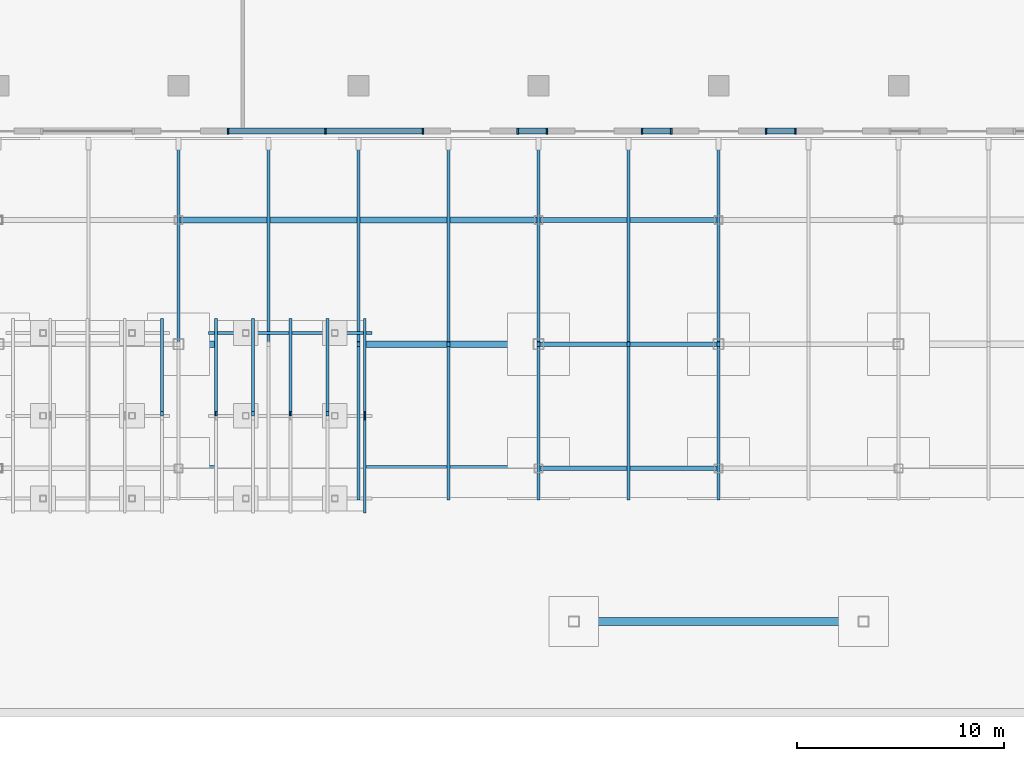
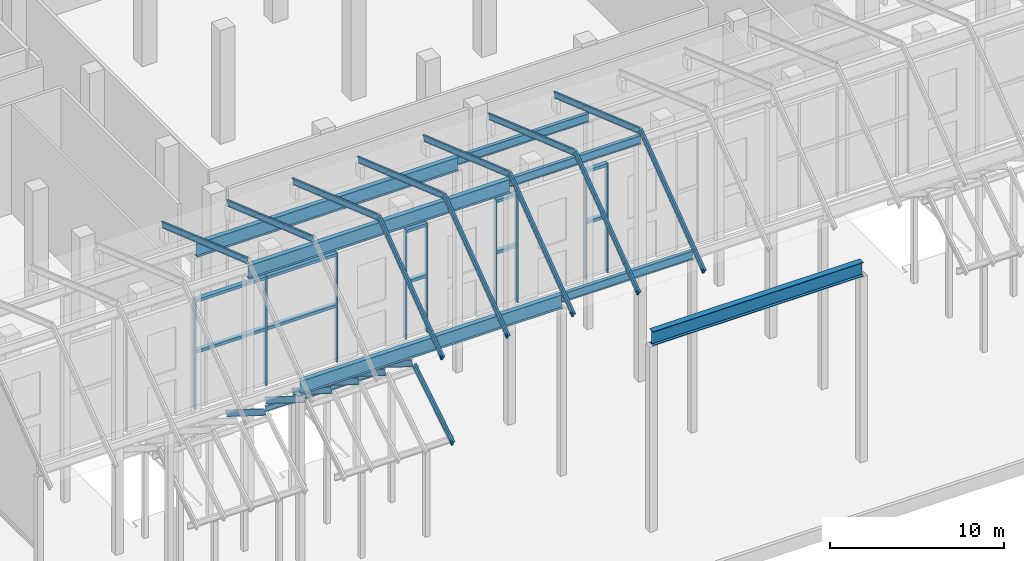
# One storey, part 9 of 31: 27 beams, 19 members, 4 elements without a shape of their own.
"""IFC4 building model written with IfcOpenShell, lengths in metres."""

from ifc_helpers import new_model, si_unit, direction, frame, origin, origin_2d, place, context, subcontext, project, spatial, rectangle, i_section, extrude, material, material_profile, profile_set, type_object, element, aggregate, save


model = new_model("IFC4")

# Units and contexts
model_context = context("Model", 3, precision=1e-05, world=origin(), true_north=direction((0.0, 1.0)))
body_context = subcontext(model_context, "Body", "Model", "MODEL_VIEW")
ifc_project = project(units=[si_unit("LENGTHUNIT", "METRE"), si_unit("AREAUNIT", "SQUARE_METRE"), si_unit("VOLUMEUNIT", "CUBIC_METRE"), si_unit("PLANEANGLEUNIT", "RADIAN"), si_unit("MASSUNIT", "GRAM", prefix="KILO")], contexts=[model_context])

# Site, building, storey
site_placement = place(None, origin())
site = spatial("IfcSite", under=ifc_project, at=site_placement, CompositionType="ELEMENT")
building_placement = place(site_placement, origin())
building = spatial("IfcBuilding", under=site, at=building_placement, Name="Bicima Exchange Tower", CompositionType="ELEMENT")
storey_placement = place(building_placement, origin())
storey = spatial("IfcBuildingStorey", under=building, at=storey_placement, Name="L00", CompositionType="ELEMENT", Elevation=0.0)

# Curtain wall, members
ifc_material_1 = material(Name="Stainless steel", Category="steel")
curtain_wall_type = type_object("IfcCurtainWallType", Name="Hall structural glazing", PredefinedType="NOTDEFINED", material=ifc_material_1)
curtain_wall_1_placement = place(storey_placement, origin())
curtain_wall_1 = element("IfcCurtainWall", 1, at=curtain_wall_1_placement, inside=storey, type_object=curtain_wall_type, Name="Podium glazing L00 south 6", PredefinedType="NOTDEFINED")
ifc_material_profile_1 = material_profile(ifc_material_1, rectangle(XDim=0.300048828125, YDim=0.080078125, at=origin_2d()))
ifc_profile_set_1 = profile_set([ifc_material_profile_1], Name="Stainless steel")
member_type_1 = type_object("IfcMemberType", Name="Hall structural glazing mullion 80 x 300", PredefinedType="MULLION", material=ifc_profile_set_1)
member_1_placement = place(storey_placement, frame((-23.7099609375, -53.699951171875, 0.0), z_axis=(0.0, 0.0, 1.0), x_axis=(0.0, 1.0, 0.0)))
member_1 = element("IfcMember", 2, at=member_1_placement, type_object=member_type_1, Name="Hall structural glazing mullion 1", PredefinedType="MULLION", context=body_context, shape_type="SweptSolid", body=[
    extrude(rectangle(XDim=0.300048828125, YDim=0.080078125, at=origin_2d()), origin(), (0.0, 0.0, 1.0), 7.699951171875),
])
member_2_placement = place(storey_placement, frame((-19.0, -53.699951171875, 0.0), z_axis=(0.0, 0.0, 1.0), x_axis=(0.0, 1.0, 0.0)))
member_2 = element("IfcMember", 3, at=member_2_placement, type_object=member_type_1, Name="Hall structural glazing mullion 2", PredefinedType="MULLION", context=body_context, shape_type="SweptSolid", body=[
    extrude(rectangle(XDim=0.300048828125, YDim=0.080078125, at=origin_2d()), origin(), (0.0, 0.0, 1.0), 7.699951171875),
])
member_3_placement = place(storey_placement, frame((-14.2900390625, -53.699951171875, 0.0), z_axis=(0.0, 0.0, 1.0), x_axis=(0.0, 1.0, 0.0)))
member_3 = element("IfcMember", 4, at=member_3_placement, type_object=member_type_1, Name="Hall structural glazing mullion 3", PredefinedType="MULLION", context=body_context, shape_type="SweptSolid", body=[
    extrude(rectangle(XDim=0.300048828125, YDim=0.080078125, at=origin_2d()), origin(), (0.0, 0.0, 1.0), 7.699951171875),
])

curtain_wall_2_placement = place(storey_placement, origin())
curtain_wall_2 = element("IfcCurtainWall", 5, at=curtain_wall_2_placement, inside=storey, type_object=curtain_wall_type, Name="Podium glazing L00 south 8", PredefinedType="NOTDEFINED")
member_4_placement = place(storey_placement, frame((-9.7099609375, -53.699951171875, 0.0), z_axis=(0.0, 0.0, 1.0), x_axis=(0.0, 1.0, 0.0)))
member_4 = element("IfcMember", 6, at=member_4_placement, type_object=member_type_1, Name="Hall structural glazing mullion 1", PredefinedType="MULLION", context=body_context, shape_type="SweptSolid", body=[
    extrude(rectangle(XDim=0.300048828125, YDim=0.080078125, at=origin_2d()), origin(), (0.0, 0.0, 1.0), 7.699951171875),
])
member_5_placement = place(storey_placement, frame((-8.2900390625, -53.699951171875, 0.0), z_axis=(0.0, 0.0, 1.0), x_axis=(0.0, 1.0, 0.0)))
member_5 = element("IfcMember", 7, at=member_5_placement, type_object=member_type_1, Name="Hall structural glazing mullion 2", PredefinedType="MULLION", context=body_context, shape_type="SweptSolid", body=[
    extrude(rectangle(XDim=0.300048828125, YDim=0.080078125, at=origin_2d()), origin(), (0.0, 0.0, 1.0), 7.699951171875),
])

curtain_wall_3_placement = place(storey_placement, origin())
curtain_wall_3 = element("IfcCurtainWall", 8, at=curtain_wall_3_placement, inside=storey, type_object=curtain_wall_type, Name="Podium glazing L00 south 10", PredefinedType="NOTDEFINED")
member_6_placement = place(storey_placement, frame((-3.7099609375, -53.699951171875, 0.0), z_axis=(0.0, 0.0, 1.0), x_axis=(0.0, 1.0, 0.0)))
member_6 = element("IfcMember", 9, at=member_6_placement, type_object=member_type_1, Name="Hall structural glazing mullion 1", PredefinedType="MULLION", context=body_context, shape_type="SweptSolid", body=[
    extrude(rectangle(XDim=0.300048828125, YDim=0.080078125, at=origin_2d()), origin(), (0.0, 0.0, 1.0), 7.699951171875),
])
member_7_placement = place(storey_placement, frame((-2.2900390625, -53.699951171875, 0.0), z_axis=(0.0, 0.0, 1.0), x_axis=(0.0, 1.0, 0.0)))
member_7 = element("IfcMember", 10, at=member_7_placement, type_object=member_type_1, Name="Hall structural glazing mullion 2", PredefinedType="MULLION", context=body_context, shape_type="SweptSolid", body=[
    extrude(rectangle(XDim=0.300048828125, YDim=0.080078125, at=origin_2d()), origin(), (0.0, 0.0, 1.0), 7.699951171875),
])

curtain_wall_4_placement = place(storey_placement, origin())
curtain_wall_4 = element("IfcCurtainWall", 11, at=curtain_wall_4_placement, inside=storey, type_object=curtain_wall_type, Name="Podium glazing L00 south 12", PredefinedType="NOTDEFINED")
member_8_placement = place(storey_placement, frame((2.2900390625, -53.699951171875, 0.0), z_axis=(0.0, 0.0, 1.0), x_axis=(0.0, 1.0, 0.0)))
member_8 = element("IfcMember", 12, at=member_8_placement, type_object=member_type_1, Name="Hall structural glazing mullion 1", PredefinedType="MULLION", context=body_context, shape_type="SweptSolid", body=[
    extrude(rectangle(XDim=0.300048828125, YDim=0.080078125, at=origin_2d()), origin(), (0.0, 0.0, 1.0), 7.699951171875),
])
member_9_placement = place(storey_placement, frame((3.7099609375, -53.699951171875, 0.0), z_axis=(0.0, 0.0, 1.0), x_axis=(0.0, 1.0, 0.0)))
member_9 = element("IfcMember", 13, at=member_9_placement, type_object=member_type_1, Name="Hall structural glazing mullion 2", PredefinedType="MULLION", context=body_context, shape_type="SweptSolid", body=[
    extrude(rectangle(XDim=0.300048828125, YDim=0.080078125, at=origin_2d()), origin(), (0.0, 0.0, 1.0), 7.699951171875),
])

# Member
ifc_material_profile_2 = material_profile(ifc_material_1, rectangle(XDim=0.300048828125, YDim=0.199951171875, at=origin_2d()))
ifc_profile_set_2 = profile_set([ifc_material_profile_2], Name="Stainless steel")
member_type_2 = type_object("IfcMemberType", Name="Hall structural glazing transom 200 x 300", PredefinedType="USERDEFINED", material=ifc_profile_set_2)
member_10_placement = place(storey_placement, frame((-23.669921875, -53.699951171875, 4.0), z_axis=(1.0, 0.0, 0.0), x_axis=(0.0, 1.0, 0.0)))
member_10 = element("IfcMember", 14, at=member_10_placement, type_object=member_type_2, Name="Hall structural glazing transom 1.1", ObjectType="TRANSOM", PredefinedType="USERDEFINED", context=body_context, shape_type="SweptSolid", body=[
    extrude(rectangle(XDim=0.300048828125, YDim=0.199951171875, at=origin_2d()), origin(), (0.0, 0.0, 1.0), 4.6298828125),
])

member_11_placement = place(storey_placement, frame((-23.669921875, -53.699951171875, 7.60009765625), z_axis=(1.0, 0.0, 0.0), x_axis=(0.0, 1.0, 0.0)))
member_11 = element("IfcMember", 15, at=member_11_placement, type_object=member_type_2, Name="Hall structural glazing transom 1.2", ObjectType="TRANSOM", PredefinedType="USERDEFINED", context=body_context, shape_type="SweptSolid", body=[
    extrude(rectangle(XDim=0.300048828125, YDim=0.199951171875, at=origin_2d()), origin(), (0.0, 0.0, 1.0), 4.6298828125),
])

member_12_placement = place(storey_placement, frame((-18.9599609375, -53.699951171875, 4.0), z_axis=(1.0, 0.0, 0.0), x_axis=(0.0, 1.0, 0.0)))
member_12 = element("IfcMember", 16, at=member_12_placement, type_object=member_type_2, Name="Hall structural glazing transom 2.1", ObjectType="TRANSOM", PredefinedType="USERDEFINED", context=body_context, shape_type="SweptSolid", body=[
    extrude(rectangle(XDim=0.300048828125, YDim=0.199951171875, at=origin_2d()), origin(), (0.0, 0.0, 1.0), 4.6298828125),
])

member_13_placement = place(storey_placement, frame((-18.9599609375, -53.699951171875, 7.60009765625), z_axis=(1.0, 0.0, 0.0), x_axis=(0.0, 1.0, 0.0)))
member_13 = element("IfcMember", 17, at=member_13_placement, type_object=member_type_2, Name="Hall structural glazing transom 2.2", ObjectType="TRANSOM", PredefinedType="USERDEFINED", context=body_context, shape_type="SweptSolid", body=[
    extrude(rectangle(XDim=0.300048828125, YDim=0.199951171875, at=origin_2d()), origin(), (0.0, 0.0, 1.0), 4.6298828125),
])

aggregate(curtain_wall_1, [member_1, member_2, member_3, member_10, member_11, member_12, member_13])

member_14_placement = place(storey_placement, frame((-9.669921875, -53.699951171875, 4.0), z_axis=(1.0, 0.0, 0.0), x_axis=(0.0, 1.0, 0.0)))
member_14 = element("IfcMember", 18, at=member_14_placement, type_object=member_type_2, Name="Hall structural glazing transom 1.1", ObjectType="TRANSOM", PredefinedType="USERDEFINED", context=body_context, shape_type="SweptSolid", body=[
    extrude(rectangle(XDim=0.300048828125, YDim=0.199951171875, at=origin_2d()), origin(), (0.0, 0.0, 1.0), 1.33984375),
])

member_15_placement = place(storey_placement, frame((-9.669921875, -53.699951171875, 7.60009765625), z_axis=(1.0, 0.0, 0.0), x_axis=(0.0, 1.0, 0.0)))
member_15 = element("IfcMember", 19, at=member_15_placement, type_object=member_type_2, Name="Hall structural glazing transom 1.2", ObjectType="TRANSOM", PredefinedType="USERDEFINED", context=body_context, shape_type="SweptSolid", body=[
    extrude(rectangle(XDim=0.300048828125, YDim=0.199951171875, at=origin_2d()), origin(), (0.0, 0.0, 1.0), 1.33984375),
])

aggregate(curtain_wall_2, [member_4, member_5, member_14, member_15])

member_16_placement = place(storey_placement, frame((-3.669921875, -53.699951171875, 4.0), z_axis=(1.0, 0.0, 0.0), x_axis=(0.0, 1.0, 0.0)))
member_16 = element("IfcMember", 20, at=member_16_placement, type_object=member_type_2, Name="Hall structural glazing transom 1.1", ObjectType="TRANSOM", PredefinedType="USERDEFINED", context=body_context, shape_type="SweptSolid", body=[
    extrude(rectangle(XDim=0.300048828125, YDim=0.199951171875, at=origin_2d()), origin(), (0.0, 0.0, 1.0), 1.33984375),
])

member_17_placement = place(storey_placement, frame((-3.669921875, -53.699951171875, 7.60009765625), z_axis=(1.0, 0.0, 0.0), x_axis=(0.0, 1.0, 0.0)))
member_17 = element("IfcMember", 21, at=member_17_placement, type_object=member_type_2, Name="Hall structural glazing transom 1.2", ObjectType="TRANSOM", PredefinedType="USERDEFINED", context=body_context, shape_type="SweptSolid", body=[
    extrude(rectangle(XDim=0.300048828125, YDim=0.199951171875, at=origin_2d()), origin(), (0.0, 0.0, 1.0), 1.33984375),
])

aggregate(curtain_wall_3, [member_6, member_7, member_16, member_17])

member_18_placement = place(storey_placement, frame((2.330078125, -53.699951171875, 4.0), z_axis=(1.0, 0.0, 0.0), x_axis=(0.0, 1.0, 0.0)))
member_18 = element("IfcMember", 22, at=member_18_placement, type_object=member_type_2, Name="Hall structural glazing transom 1.1", ObjectType="TRANSOM", PredefinedType="USERDEFINED", context=body_context, shape_type="SweptSolid", body=[
    extrude(rectangle(XDim=0.300048828125, YDim=0.199951171875, at=origin_2d()), origin(), (0.0, 0.0, 1.0), 1.33984375),
])

member_19_placement = place(storey_placement, frame((2.330078125, -53.699951171875, 7.60009765625), z_axis=(1.0, 0.0, 0.0), x_axis=(0.0, 1.0, 0.0)))
member_19 = element("IfcMember", 23, at=member_19_placement, type_object=member_type_2, Name="Hall structural glazing transom 1.2", ObjectType="TRANSOM", PredefinedType="USERDEFINED", context=body_context, shape_type="SweptSolid", body=[
    extrude(rectangle(XDim=0.300048828125, YDim=0.199951171875, at=origin_2d()), origin(), (0.0, 0.0, 1.0), 1.33984375),
])

aggregate(curtain_wall_4, [member_8, member_9, member_18, member_19])

# Beams
ifc_material_2 = material(Name="Steel ASTM A992 Gr 50", Category="steel")
ifc_material_profile_3 = material_profile(ifc_material_2, i_section(OverallWidth=0.140380859375, OverallDepth=0.40380859375, WebThickness=0.007080078125, FlangeThickness=0.01123046875, at=origin_2d()))
ifc_profile_set_3 = profile_set([ifc_material_profile_3], Name="Steel ASTM A992 Gr 50")
beam_type_1 = type_object("IfcBeamType", Name="Pavilion eaves girder W16x31", PredefinedType="BEAM", material=ifc_profile_set_3)
beam_1_placement = place(storey_placement, frame((-24.64990234375, -63.4599609375, 6.201904296875), z_axis=(1.0, 0.0, 0.0), x_axis=(0.0, 1.0, 0.0)))
element("IfcBeam", 24, at=beam_1_placement, inside=storey, type_object=beam_type_1, Name="Pavilion eaves girder", PredefinedType="BEAM", context=body_context, shape_type="SweptSolid", body=[
    extrude(i_section(OverallWidth=0.140380859375, OverallDepth=0.40380859375, WebThickness=0.007080078125, FlangeThickness=0.01123046875, at=origin_2d()), origin(), (0.0, 0.0, 1.0), 7.89990234375),
])
beam_type_2 = type_object("IfcBeamType", Name="Pavilion rafter W16x31", PredefinedType="BEAM", material=ifc_profile_set_3)
for number, where, z_axis, x_axis, name in (
    (25, (-26.89990234375, -62.860107421875, 6.310791015625), (0.0, -0.848039657914, 0.529932768004), (1.0, 0.0, 0.0), "Pavilion rafter"),
    (26, (-24.300048828125, -62.860107421875, 6.310791015625), (0.0, -0.848039657914, 0.529932768004), (1.0, 0.0, 0.0), "Pavilion rafter"),
    (27, (-22.5, -62.860107421875, 6.310791015625), (0.0, -0.848039657914, 0.529932768004), (1.0, 0.0, 0.0), "Pavilion rafter"),
    (28, (-20.699951171875, -62.860107421875, 6.310791015625), (0.0, -0.848039657914, 0.529932768004), (1.0, 0.0, 0.0), "Pavilion rafter"),
    (29, (-18.89990234375, -62.860107421875, 6.310791015625), (0.0, -0.848039657914, 0.529932768004), (1.0, 0.0, 0.0), "Pavilion rafter"),
    (30, (-17.10009765625, -62.860107421875, 6.310791015625), (0.0, -0.848039657914, 0.529932768004), (1.0, 0.0, 0.0), "Pavilion rafter"),
    (31, (-17.10009765625, -67.56005859375, 9.122802734375), (0.0, -0.848039657914, -0.529932768004), (1.0, 0.0, 0.0), "Pavilion rafter"),
):
    element("IfcBeam", number, at=place(storey_placement, frame(where, z_axis=z_axis, x_axis=x_axis)), inside=storey, type_object=beam_type_2, Name=name, PredefinedType="BEAM", context=body_context, shape_type="SweptSolid", body=[
        extrude(i_section(OverallWidth=0.140380859375, OverallDepth=0.40380859375, WebThickness=0.007080078125, FlangeThickness=0.01123046875, at=origin_2d()), origin(), (0.0, 0.0, 1.0), 5.306396484375),
    ])
ifc_material_profile_4 = material_profile(ifc_material_2, i_section(OverallWidth=0.4013671875, OverallDepth=0.990478515625, WebThickness=0.0166015625, FlangeThickness=0.031005859375, at=origin_2d()))
ifc_profile_set_4 = profile_set([ifc_material_profile_4], Name="Steel ASTM A992 Gr 50")
beam_type_3 = type_object("IfcBeamType", Name="Portal frame beam W40x215", PredefinedType="BEAM", material=ifc_profile_set_4)
beam_2_placement = place(storey_placement, frame((-7.0, -77.39990234375, 13.504638671875), z_axis=(1.0, 0.0, 0.0), x_axis=(0.0, 1.0, 0.0)))
element("IfcBeam", 32, at=beam_2_placement, inside=storey, type_object=beam_type_3, Name="Portal frame beam", PredefinedType="BEAM", context=body_context, shape_type="SweptSolid", body=[
    extrude(i_section(OverallWidth=0.4013671875, OverallDepth=0.990478515625, WebThickness=0.0166015625, FlangeThickness=0.031005859375, at=origin_2d()), origin(), (0.0, 0.0, 1.0), 14.0),
])
ifc_material_profile_5 = material_profile(ifc_material_2, i_section(OverallWidth=0.227783203125, OverallDepth=0.60205078125, WebThickness=0.010498046875, FlangeThickness=0.014892578125, at=origin_2d()))
ifc_profile_set_5 = profile_set([ifc_material_profile_5], Name="Steel ASTM A992 Gr 50")
beam_type_4 = type_object("IfcBeamType", Name="Portico girder W24x68", PredefinedType="BEAM", material=ifc_profile_set_5)
for number, where, z_axis, x_axis, name in (
    (33, (-8.699951171875, -58.0, 14.80517578125), (1.0, 0.0, 0.0), (0.0, 1.0, 0.0), "Portico girder"),
    (34, (-8.699951171875, -64.0, 16.897216796875), (1.0, 0.0, 0.0), (0.0, 1.0, 0.0), "Portico girder"),
    (35, (-8.699951171875, -70.0, 12.410400390625), (1.0, 0.0, 0.0), (0.0, 1.0, 0.0), "Portico girder"),
):
    element("IfcBeam", number, at=place(storey_placement, frame(where, z_axis=z_axis, x_axis=x_axis)), inside=storey, type_object=beam_type_4, Name=name, PredefinedType="BEAM", context=body_context, shape_type="SweptSolid", body=[
        extrude(i_section(OverallWidth=0.227783203125, OverallDepth=0.60205078125, WebThickness=0.010498046875, FlangeThickness=0.014892578125, at=origin_2d()), origin(), (0.0, 0.0, 1.0), 8.699951171875),
    ])
ifc_material_profile_6 = material_profile(ifc_material_2, i_section(OverallWidth=0.2998046875, OverallDepth=0.97021484375, WebThickness=0.01611328125, FlangeThickness=0.02099609375, at=origin_2d()))
ifc_profile_set_6 = profile_set([ifc_material_profile_6], Name="Steel ASTM A992 Gr 50")
beam_type_5 = type_object("IfcBeamType", Name="Portico girder W40x149", PredefinedType="BEAM", material=ifc_profile_set_6)
for number, where, z_axis, x_axis, name in (
    (36, (-26.10009765625, -58.0, 14.62109375), (1.0, 0.0, 0.0), (0.0, 1.0, 0.0), "Portico girder"),
    (37, (-26.10009765625, -64.0, 16.712890625), (1.0, 0.0, 0.0), (0.0, 1.0, 0.0), "Portico girder"),
    (38, (-26.10009765625, -70.0, 12.226318359375), (1.0, 0.0, 0.0), (0.0, 1.0, 0.0), "Portico girder"),
):
    element("IfcBeam", number, at=place(storey_placement, frame(where, z_axis=z_axis, x_axis=x_axis)), inside=storey, type_object=beam_type_5, Name=name, PredefinedType="BEAM", context=body_context, shape_type="SweptSolid", body=[
        extrude(i_section(OverallWidth=0.2998046875, OverallDepth=0.97021484375, WebThickness=0.01611328125, FlangeThickness=0.02099609375, at=origin_2d()), origin(), (0.0, 0.0, 1.0), 17.400146484375),
    ])
beam_type_6 = type_object("IfcBeamType", Name="Portico rafter W16x31", PredefinedType="BEAM", material=ifc_profile_set_3)
for number, where, z_axis, x_axis, name in (
    (39, (-26.10009765625, -54.10009765625, 14.0), (0.0, -0.944282340982, 0.329136537791), (1.0, 0.0, 0.0), "Portico rafter"),
    (40, (-21.75, -54.10009765625, 14.0), (0.0, -0.944282340982, 0.329136537791), (1.0, 0.0, 0.0), "Portico rafter"),
    (41, (-17.39990234375, -54.10009765625, 14.0), (0.0, -0.944282340982, 0.329136537791), (1.0, 0.0, 0.0), "Portico rafter"),
):
    element("IfcBeam", number, at=place(storey_placement, frame(where, z_axis=z_axis, x_axis=x_axis)), inside=storey, type_object=beam_type_6, Name=name, PredefinedType="BEAM", context=body_context, shape_type="SweptSolid", body=[
        extrude(i_section(OverallWidth=0.140380859375, OverallDepth=0.40380859375, WebThickness=0.007080078125, FlangeThickness=0.01123046875, at=origin_2d()), origin(), (0.0, 0.0, 1.0), 10.484130859375),
    ])
beam_3_placement = place(storey_placement, frame((-17.39990234375, -64.0, 17.53125), z_axis=(0.0, -0.800969313172, -0.598705402812), x_axis=(1.0, 0.0, 0.0)))
element("IfcBeam", 42, at=beam_3_placement, inside=storey, type_object=beam_type_6, Name="Portico rafter", PredefinedType="BEAM", context=body_context, shape_type="SweptSolid", body=[
    extrude(i_section(OverallWidth=0.140380859375, OverallDepth=0.40380859375, WebThickness=0.007080078125, FlangeThickness=0.01123046875, at=origin_2d()), origin(), (0.0, 0.0, 1.0), 9.23876953125),
])
beam_4_placement = place(storey_placement, frame((-13.050048828125, -54.10009765625, 14.0), z_axis=(0.0, -0.944282340982, 0.329136537791), x_axis=(1.0, 0.0, 0.0)))
element("IfcBeam", 43, at=beam_4_placement, inside=storey, type_object=beam_type_6, Name="Portico rafter", PredefinedType="BEAM", context=body_context, shape_type="SweptSolid", body=[
    extrude(i_section(OverallWidth=0.140380859375, OverallDepth=0.40380859375, WebThickness=0.007080078125, FlangeThickness=0.01123046875, at=origin_2d()), origin(), (0.0, 0.0, 1.0), 10.484130859375),
])
beam_5_placement = place(storey_placement, frame((-13.050048828125, -64.0, 17.53125), z_axis=(0.0, -0.800969313172, -0.598705402812), x_axis=(1.0, 0.0, 0.0)))
element("IfcBeam", 44, at=beam_5_placement, inside=storey, type_object=beam_type_6, Name="Portico rafter", PredefinedType="BEAM", context=body_context, shape_type="SweptSolid", body=[
    extrude(i_section(OverallWidth=0.140380859375, OverallDepth=0.40380859375, WebThickness=0.007080078125, FlangeThickness=0.01123046875, at=origin_2d()), origin(), (0.0, 0.0, 1.0), 9.23876953125),
])
beam_6_placement = place(storey_placement, frame((-8.699951171875, -54.10009765625, 14.0), z_axis=(0.0, -0.944282340982, 0.329136537791), x_axis=(1.0, 0.0, 0.0)))
element("IfcBeam", 45, at=beam_6_placement, inside=storey, type_object=beam_type_6, Name="Portico rafter", PredefinedType="BEAM", context=body_context, shape_type="SweptSolid", body=[
    extrude(i_section(OverallWidth=0.140380859375, OverallDepth=0.40380859375, WebThickness=0.007080078125, FlangeThickness=0.01123046875, at=origin_2d()), origin(), (0.0, 0.0, 1.0), 10.484130859375),
])
beam_7_placement = place(storey_placement, frame((-8.699951171875, -64.0, 17.53125), z_axis=(0.0, -0.800969313172, -0.598705402812), x_axis=(1.0, 0.0, 0.0)))
element("IfcBeam", 46, at=beam_7_placement, inside=storey, type_object=beam_type_6, Name="Portico rafter", PredefinedType="BEAM", context=body_context, shape_type="SweptSolid", body=[
    extrude(i_section(OverallWidth=0.140380859375, OverallDepth=0.40380859375, WebThickness=0.007080078125, FlangeThickness=0.01123046875, at=origin_2d()), origin(), (0.0, 0.0, 1.0), 9.23876953125),
])
beam_8_placement = place(storey_placement, frame((-4.35009765625, -54.10009765625, 14.0), z_axis=(0.0, -0.944282340982, 0.329136537791), x_axis=(1.0, 0.0, 0.0)))
element("IfcBeam", 47, at=beam_8_placement, inside=storey, type_object=beam_type_6, Name="Portico rafter", PredefinedType="BEAM", context=body_context, shape_type="SweptSolid", body=[
    extrude(i_section(OverallWidth=0.140380859375, OverallDepth=0.40380859375, WebThickness=0.007080078125, FlangeThickness=0.01123046875, at=origin_2d()), origin(), (0.0, 0.0, 1.0), 10.484130859375),
])
beam_9_placement = place(storey_placement, frame((-4.35009765625, -64.0, 17.53125), z_axis=(0.0, -0.800969313172, -0.598705402812), x_axis=(1.0, 0.0, 0.0)))
element("IfcBeam", 48, at=beam_9_placement, inside=storey, type_object=beam_type_6, Name="Portico rafter", PredefinedType="BEAM", context=body_context, shape_type="SweptSolid", body=[
    extrude(i_section(OverallWidth=0.140380859375, OverallDepth=0.40380859375, WebThickness=0.007080078125, FlangeThickness=0.01123046875, at=origin_2d()), origin(), (0.0, 0.0, 1.0), 9.23876953125),
])
beam_10_placement = place(storey_placement, frame((0.0, -54.10009765625, 14.0), z_axis=(0.0, -0.944282340982, 0.329136537791), x_axis=(1.0, 0.0, 0.0)))
element("IfcBeam", 49, at=beam_10_placement, inside=storey, type_object=beam_type_6, Name="Portico rafter", PredefinedType="BEAM", context=body_context, shape_type="SweptSolid", body=[
    extrude(i_section(OverallWidth=0.140380859375, OverallDepth=0.40380859375, WebThickness=0.007080078125, FlangeThickness=0.01123046875, at=origin_2d()), origin(), (0.0, 0.0, 1.0), 10.484130859375),
])
beam_11_placement = place(storey_placement, frame((0.0, -64.0, 17.53125), z_axis=(0.0, -0.800969313172, -0.598705402812), x_axis=(1.0, 0.0, 0.0)))
element("IfcBeam", 50, at=beam_11_placement, inside=storey, type_object=beam_type_6, Name="Portico rafter", PredefinedType="BEAM", context=body_context, shape_type="SweptSolid", body=[
    extrude(i_section(OverallWidth=0.140380859375, OverallDepth=0.40380859375, WebThickness=0.007080078125, FlangeThickness=0.01123046875, at=origin_2d()), origin(), (0.0, 0.0, 1.0), 9.23876953125),
])

save(model, "model.ifc")
